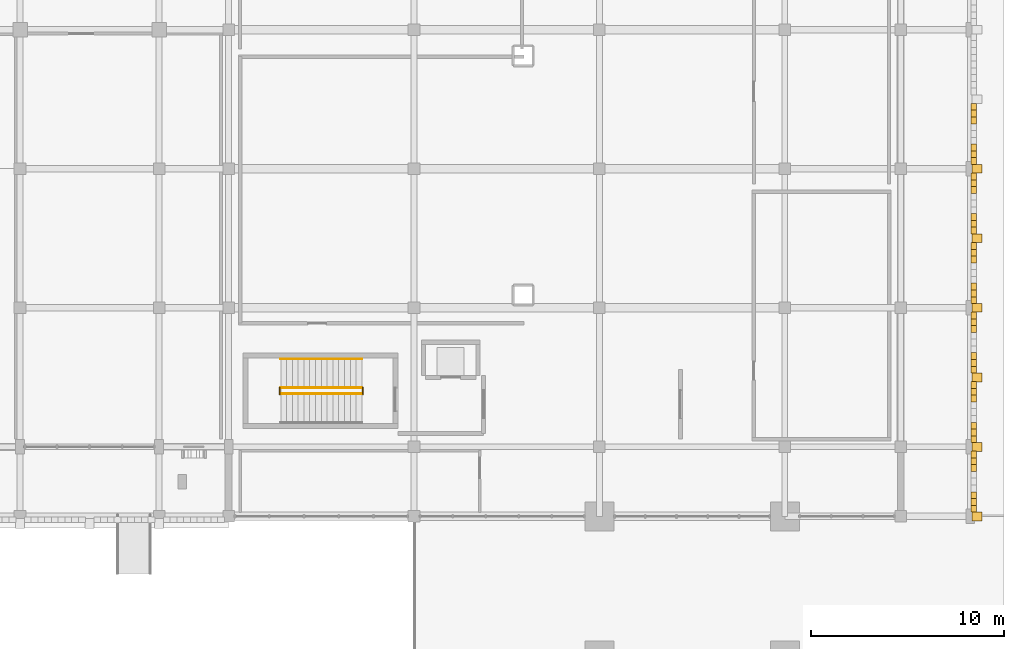
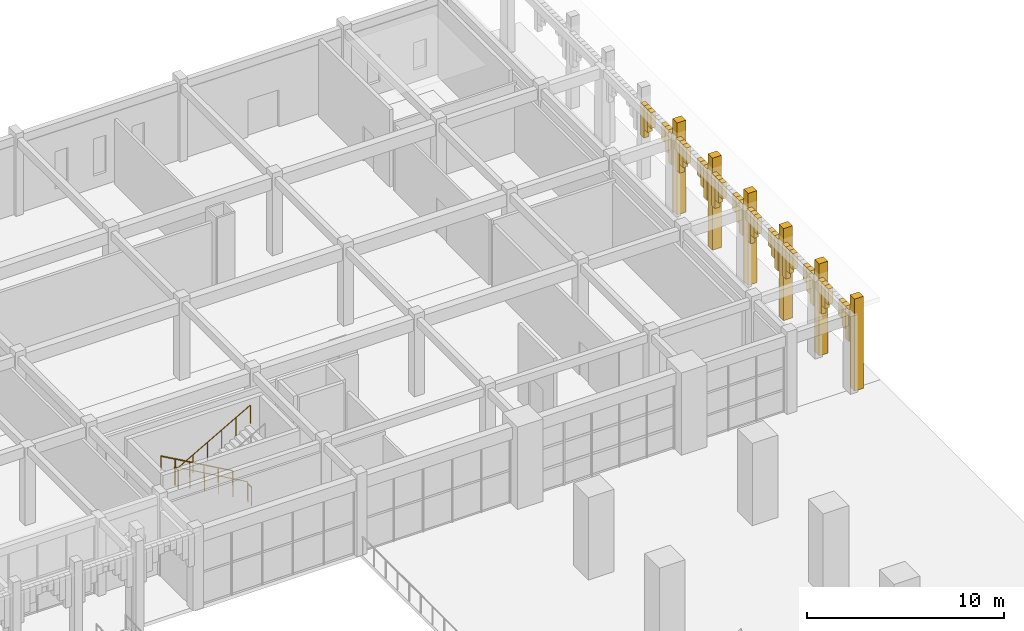
# One storey, part 62 of 72: 42 coverings, 5 railings.
"""IFC4 building model written with IfcOpenShell, lengths in metres."""

from ifc_helpers import new_model, si_unit, direction, frame, origin, origin_2d, place, context, subcontext, project, spatial, rectangle, circle, extrude, material, layer, layer_set, type_object, element, save


model = new_model("IFC4")

# Units and contexts
model_context = context("Model", 3, precision=1e-05, world=origin(), true_north=direction((0.0, 1.0)))
body_context = subcontext(model_context, "Body", "Model", "MODEL_VIEW")
ifc_project = project(units=[si_unit("LENGTHUNIT", "METRE"), si_unit("AREAUNIT", "SQUARE_METRE"), si_unit("VOLUMEUNIT", "CUBIC_METRE"), si_unit("PLANEANGLEUNIT", "RADIAN"), si_unit("MASSUNIT", "GRAM", prefix="KILO")], contexts=[model_context])

# Site, building, storey
site_placement = place(None, origin())
site = spatial("IfcSite", under=ifc_project, at=site_placement, CompositionType="ELEMENT")
building_placement = place(site_placement, origin())
building = spatial("IfcBuilding", under=site, at=building_placement, Name="Nzembalo Square Collegiate School", CompositionType="ELEMENT")
storey_placement = place(building_placement, origin())
storey = spatial("IfcBuildingStorey", under=building, at=storey_placement, Name="L00", CompositionType="ELEMENT", Elevation=0.0)

# Coverings
ifc_material_1 = material(Name="Precast concrete C40/50 arch voussoir", Category="concrete")
ifc_layer = layer(ifc_material_1, 0.1201171875, Name="Precast concrete C40/50 arch voussoir")
ifc_layer_set = layer_set([ifc_layer], Name="Precast concrete C40/50 arch voussoir")
covering_type = type_object("IfcCoveringType", Name="AR01", PredefinedType="CLADDING", material=ifc_layer_set)
covering_1_placement = place(storey_placement, frame((169.3798828125, 79.595703125, 2.808349609375), z_axis=(0.0, 0.0, 1.0), x_axis=(1.0, 0.0, 0.0)))
element("IfcCovering", 1, at=covering_1_placement, inside=storey, type_object=covering_type, Name="Gothic pointed arch voussoir AR01-088-0", PredefinedType="CLADDING", context=body_context, shape_type="SweptSolid", body=[
    extrude(rectangle(XDim=0.280029296875, YDim=0.35107421875, at=origin_2d()), origin(), (0.0, 0.0, 1.0), 1.99169921875),
])
covering_2_placement = place(storey_placement, frame((169.3798828125, 79.94677734375, 3.361083984375), z_axis=(0.0, 0.0, 1.0), x_axis=(1.0, 0.0, 0.0)))
element("IfcCovering", 2, at=covering_2_placement, inside=storey, type_object=covering_type, Name="Gothic pointed arch voussoir AR01-088-1", PredefinedType="CLADDING", context=body_context, shape_type="SweptSolid", body=[
    extrude(rectangle(XDim=0.280029296875, YDim=0.35107421875, at=origin_2d()), origin(), (0.0, 0.0, 1.0), 1.43896484375),
])
for number, where, z_axis, x_axis, name in (
    (3, (169.3798828125, 80.297607421875, 3.810546875), (0.0, 0.0, 1.0), (1.0, 0.0, 0.0), "Gothic pointed arch voussoir AR01-088-2"),
    (4, (169.3798828125, 81.7021484375, 3.810546875), (0.0, 0.0, 1.0), (1.0, 0.0, 0.0), "Gothic pointed arch voussoir AR01-088-6"),
):
    element("IfcCovering", number, at=place(storey_placement, frame(where, z_axis=z_axis, x_axis=x_axis)), inside=storey, type_object=covering_type, Name=name, PredefinedType="CLADDING", context=body_context, shape_type="SweptSolid", body=[
        extrude(rectangle(XDim=0.280029296875, YDim=0.35107421875, at=origin_2d()), origin(), (0.0, 0.0, 1.0), 0.989501953125),
    ])
covering_3_placement = place(storey_placement, frame((169.3798828125, 82.05322265625, 3.361328125), z_axis=(0.0, 0.0, 1.0), x_axis=(1.0, 0.0, 0.0)))
element("IfcCovering", 5, at=covering_3_placement, inside=storey, type_object=covering_type, Name="Gothic pointed arch voussoir AR01-088-7", PredefinedType="CLADDING", context=body_context, shape_type="SweptSolid", body=[
    extrude(rectangle(XDim=0.280029296875, YDim=0.35107421875, at=origin_2d()), origin(), (0.0, 0.0, 1.0), 1.438720703125),
])
covering_4_placement = place(storey_placement, frame((169.3798828125, 82.404296875, 2.80859375), z_axis=(0.0, 0.0, 1.0), x_axis=(1.0, 0.0, 0.0)))
element("IfcCovering", 6, at=covering_4_placement, inside=storey, type_object=covering_type, Name="Gothic pointed arch voussoir AR01-088-8", PredefinedType="CLADDING", context=body_context, shape_type="SweptSolid", body=[
    extrude(rectangle(XDim=0.280029296875, YDim=0.35107421875, at=origin_2d()), origin(), (0.0, 0.0, 1.0), 1.991455078125),
])
covering_5_placement = place(storey_placement, frame((169.56005859375, 79.199951171875, 0.0), z_axis=(0.0, 0.0, 1.0), x_axis=(1.0, 0.0, 0.0)))
element("IfcCovering", 7, at=covering_5_placement, inside=storey, type_object=covering_type, Name="Gothic arcade buttress pinnacle AR01-B088", PredefinedType="CLADDING", context=body_context, shape_type="SweptSolid", body=[
    extrude(rectangle(XDim=0.52001953125, YDim=0.4599609375, at=origin_2d()), origin(), (0.0, 0.0, 1.0), 5.699951171875),
])
covering_6_placement = place(storey_placement, frame((169.3798828125, 83.195556640625, 2.808349609375), z_axis=(0.0, 0.0, 1.0), x_axis=(1.0, 0.0, 0.0)))
element("IfcCovering", 8, at=covering_6_placement, inside=storey, type_object=covering_type, Name="Gothic pointed arch voussoir AR01-089-0", PredefinedType="CLADDING", context=body_context, shape_type="SweptSolid", body=[
    extrude(rectangle(XDim=0.280029296875, YDim=0.35107421875, at=origin_2d()), origin(), (0.0, 0.0, 1.0), 1.99169921875),
])
covering_7_placement = place(storey_placement, frame((169.3798828125, 83.546630859375, 3.361083984375), z_axis=(0.0, 0.0, 1.0), x_axis=(1.0, 0.0, 0.0)))
element("IfcCovering", 9, at=covering_7_placement, inside=storey, type_object=covering_type, Name="Gothic pointed arch voussoir AR01-089-1", PredefinedType="CLADDING", context=body_context, shape_type="SweptSolid", body=[
    extrude(rectangle(XDim=0.280029296875, YDim=0.35107421875, at=origin_2d()), origin(), (0.0, 0.0, 1.0), 1.43896484375),
])
for number, where, z_axis, x_axis, name in (
    (10, (169.3798828125, 83.897705078125, 3.810546875), (0.0, 0.0, 1.0), (1.0, 0.0, 0.0), "Gothic pointed arch voussoir AR01-089-2"),
    (11, (169.3798828125, 85.302001953125, 3.810546875), (0.0, 0.0, 1.0), (1.0, 0.0, 0.0), "Gothic pointed arch voussoir AR01-089-6"),
):
    element("IfcCovering", number, at=place(storey_placement, frame(where, z_axis=z_axis, x_axis=x_axis)), inside=storey, type_object=covering_type, Name=name, PredefinedType="CLADDING", context=body_context, shape_type="SweptSolid", body=[
        extrude(rectangle(XDim=0.280029296875, YDim=0.35107421875, at=origin_2d()), origin(), (0.0, 0.0, 1.0), 0.989501953125),
    ])
covering_8_placement = place(storey_placement, frame((169.3798828125, 85.6533203125, 3.361328125), z_axis=(0.0, 0.0, 1.0), x_axis=(1.0, 0.0, 0.0)))
element("IfcCovering", 12, at=covering_8_placement, inside=storey, type_object=covering_type, Name="Gothic pointed arch voussoir AR01-089-7", PredefinedType="CLADDING", context=body_context, shape_type="SweptSolid", body=[
    extrude(rectangle(XDim=0.280029296875, YDim=0.35107421875, at=origin_2d()), origin(), (0.0, 0.0, 1.0), 1.438720703125),
])
covering_9_placement = place(storey_placement, frame((169.3798828125, 86.00439453125, 2.80859375), z_axis=(0.0, 0.0, 1.0), x_axis=(1.0, 0.0, 0.0)))
element("IfcCovering", 13, at=covering_9_placement, inside=storey, type_object=covering_type, Name="Gothic pointed arch voussoir AR01-089-8", PredefinedType="CLADDING", context=body_context, shape_type="SweptSolid", body=[
    extrude(rectangle(XDim=0.280029296875, YDim=0.35107421875, at=origin_2d()), origin(), (0.0, 0.0, 1.0), 1.991455078125),
])
covering_10_placement = place(storey_placement, frame((169.56005859375, 82.800048828125, 0.0), z_axis=(0.0, 0.0, 1.0), x_axis=(1.0, 0.0, 0.0)))
element("IfcCovering", 14, at=covering_10_placement, inside=storey, type_object=covering_type, Name="Gothic arcade buttress pinnacle AR01-B089", PredefinedType="CLADDING", context=body_context, shape_type="SweptSolid", body=[
    extrude(rectangle(XDim=0.52001953125, YDim=0.4599609375, at=origin_2d()), origin(), (0.0, 0.0, 1.0), 5.699951171875),
])
covering_11_placement = place(storey_placement, frame((169.3798828125, 86.79541015625, 2.808349609375), z_axis=(0.0, 0.0, 1.0), x_axis=(1.0, 0.0, 0.0)))
element("IfcCovering", 15, at=covering_11_placement, inside=storey, type_object=covering_type, Name="Gothic pointed arch voussoir AR01-090-0", PredefinedType="CLADDING", context=body_context, shape_type="SweptSolid", body=[
    extrude(rectangle(XDim=0.280029296875, YDim=0.35107421875, at=origin_2d()), origin(), (0.0, 0.0, 1.0), 1.99169921875),
])
covering_12_placement = place(storey_placement, frame((169.3798828125, 87.146484375, 3.361083984375), z_axis=(0.0, 0.0, 1.0), x_axis=(1.0, 0.0, 0.0)))
element("IfcCovering", 16, at=covering_12_placement, inside=storey, type_object=covering_type, Name="Gothic pointed arch voussoir AR01-090-1", PredefinedType="CLADDING", context=body_context, shape_type="SweptSolid", body=[
    extrude(rectangle(XDim=0.280029296875, YDim=0.35107421875, at=origin_2d()), origin(), (0.0, 0.0, 1.0), 1.43896484375),
])
for number, where, z_axis, x_axis, name in (
    (17, (169.3798828125, 87.497802734375, 3.810546875), (0.0, 0.0, 1.0), (1.0, 0.0, 0.0), "Gothic pointed arch voussoir AR01-090-2"),
    (18, (169.3798828125, 88.902099609375, 3.810546875), (0.0, 0.0, 1.0), (1.0, 0.0, 0.0), "Gothic pointed arch voussoir AR01-090-6"),
):
    element("IfcCovering", number, at=place(storey_placement, frame(where, z_axis=z_axis, x_axis=x_axis)), inside=storey, type_object=covering_type, Name=name, PredefinedType="CLADDING", context=body_context, shape_type="SweptSolid", body=[
        extrude(rectangle(XDim=0.280029296875, YDim=0.35107421875, at=origin_2d()), origin(), (0.0, 0.0, 1.0), 0.989501953125),
    ])
covering_13_placement = place(storey_placement, frame((169.3798828125, 89.253173828125, 3.361328125), z_axis=(0.0, 0.0, 1.0), x_axis=(1.0, 0.0, 0.0)))
element("IfcCovering", 19, at=covering_13_placement, inside=storey, type_object=covering_type, Name="Gothic pointed arch voussoir AR01-090-7", PredefinedType="CLADDING", context=body_context, shape_type="SweptSolid", body=[
    extrude(rectangle(XDim=0.280029296875, YDim=0.35107421875, at=origin_2d()), origin(), (0.0, 0.0, 1.0), 1.438720703125),
])
covering_14_placement = place(storey_placement, frame((169.3798828125, 89.604248046875, 2.80859375), z_axis=(0.0, 0.0, 1.0), x_axis=(1.0, 0.0, 0.0)))
element("IfcCovering", 20, at=covering_14_placement, inside=storey, type_object=covering_type, Name="Gothic pointed arch voussoir AR01-090-8", PredefinedType="CLADDING", context=body_context, shape_type="SweptSolid", body=[
    extrude(rectangle(XDim=0.280029296875, YDim=0.35107421875, at=origin_2d()), origin(), (0.0, 0.0, 1.0), 1.991455078125),
])
covering_15_placement = place(storey_placement, frame((169.56005859375, 86.39990234375, 0.0), z_axis=(0.0, 0.0, 1.0), x_axis=(1.0, 0.0, 0.0)))
element("IfcCovering", 21, at=covering_15_placement, inside=storey, type_object=covering_type, Name="Gothic arcade buttress pinnacle AR01-B090", PredefinedType="CLADDING", context=body_context, shape_type="SweptSolid", body=[
    extrude(rectangle(XDim=0.52001953125, YDim=0.4599609375, at=origin_2d()), origin(), (0.0, 0.0, 1.0), 5.699951171875),
])
covering_16_placement = place(storey_placement, frame((169.3798828125, 90.3955078125, 2.808349609375), z_axis=(0.0, 0.0, 1.0), x_axis=(1.0, 0.0, 0.0)))
element("IfcCovering", 22, at=covering_16_placement, inside=storey, type_object=covering_type, Name="Gothic pointed arch voussoir AR01-091-0", PredefinedType="CLADDING", context=body_context, shape_type="SweptSolid", body=[
    extrude(rectangle(XDim=0.280029296875, YDim=0.35107421875, at=origin_2d()), origin(), (0.0, 0.0, 1.0), 1.99169921875),
])
covering_17_placement = place(storey_placement, frame((169.3798828125, 90.74658203125, 3.361083984375), z_axis=(0.0, 0.0, 1.0), x_axis=(1.0, 0.0, 0.0)))
element("IfcCovering", 23, at=covering_17_placement, inside=storey, type_object=covering_type, Name="Gothic pointed arch voussoir AR01-091-1", PredefinedType="CLADDING", context=body_context, shape_type="SweptSolid", body=[
    extrude(rectangle(XDim=0.280029296875, YDim=0.35107421875, at=origin_2d()), origin(), (0.0, 0.0, 1.0), 1.43896484375),
])
for number, where, z_axis, x_axis, name in (
    (24, (169.3798828125, 91.09765625, 3.810546875), (0.0, 0.0, 1.0), (1.0, 0.0, 0.0), "Gothic pointed arch voussoir AR01-091-2"),
    (25, (169.3798828125, 92.502197265625, 3.810546875), (0.0, 0.0, 1.0), (1.0, 0.0, 0.0), "Gothic pointed arch voussoir AR01-091-6"),
):
    element("IfcCovering", number, at=place(storey_placement, frame(where, z_axis=z_axis, x_axis=x_axis)), inside=storey, type_object=covering_type, Name=name, PredefinedType="CLADDING", context=body_context, shape_type="SweptSolid", body=[
        extrude(rectangle(XDim=0.280029296875, YDim=0.35107421875, at=origin_2d()), origin(), (0.0, 0.0, 1.0), 0.989501953125),
    ])
covering_18_placement = place(storey_placement, frame((169.3798828125, 92.853271484375, 3.361328125), z_axis=(0.0, 0.0, 1.0), x_axis=(1.0, 0.0, 0.0)))
element("IfcCovering", 26, at=covering_18_placement, inside=storey, type_object=covering_type, Name="Gothic pointed arch voussoir AR01-091-7", PredefinedType="CLADDING", context=body_context, shape_type="SweptSolid", body=[
    extrude(rectangle(XDim=0.280029296875, YDim=0.35107421875, at=origin_2d()), origin(), (0.0, 0.0, 1.0), 1.438720703125),
])
covering_19_placement = place(storey_placement, frame((169.3798828125, 93.204345703125, 2.80859375), z_axis=(0.0, 0.0, 1.0), x_axis=(1.0, 0.0, 0.0)))
element("IfcCovering", 27, at=covering_19_placement, inside=storey, type_object=covering_type, Name="Gothic pointed arch voussoir AR01-091-8", PredefinedType="CLADDING", context=body_context, shape_type="SweptSolid", body=[
    extrude(rectangle(XDim=0.280029296875, YDim=0.35107421875, at=origin_2d()), origin(), (0.0, 0.0, 1.0), 1.991455078125),
])
covering_20_placement = place(storey_placement, frame((169.56005859375, 90.0, 0.0), z_axis=(0.0, 0.0, 1.0), x_axis=(1.0, 0.0, 0.0)))
element("IfcCovering", 28, at=covering_20_placement, inside=storey, type_object=covering_type, Name="Gothic arcade buttress pinnacle AR01-B091", PredefinedType="CLADDING", context=body_context, shape_type="SweptSolid", body=[
    extrude(rectangle(XDim=0.52001953125, YDim=0.4599609375, at=origin_2d()), origin(), (0.0, 0.0, 1.0), 5.699951171875),
])
covering_21_placement = place(storey_placement, frame((169.3798828125, 93.99560546875, 2.808349609375), z_axis=(0.0, 0.0, 1.0), x_axis=(1.0, 0.0, 0.0)))
element("IfcCovering", 29, at=covering_21_placement, inside=storey, type_object=covering_type, Name="Gothic pointed arch voussoir AR01-092-0", PredefinedType="CLADDING", context=body_context, shape_type="SweptSolid", body=[
    extrude(rectangle(XDim=0.280029296875, YDim=0.35107421875, at=origin_2d()), origin(), (0.0, 0.0, 1.0), 1.99169921875),
])
covering_22_placement = place(storey_placement, frame((169.3798828125, 94.3466796875, 3.361083984375), z_axis=(0.0, 0.0, 1.0), x_axis=(1.0, 0.0, 0.0)))
element("IfcCovering", 30, at=covering_22_placement, inside=storey, type_object=covering_type, Name="Gothic pointed arch voussoir AR01-092-1", PredefinedType="CLADDING", context=body_context, shape_type="SweptSolid", body=[
    extrude(rectangle(XDim=0.280029296875, YDim=0.35107421875, at=origin_2d()), origin(), (0.0, 0.0, 1.0), 1.43896484375),
])
for number, where, z_axis, x_axis, name in (
    (31, (169.3798828125, 94.69775390625, 3.810546875), (0.0, 0.0, 1.0), (1.0, 0.0, 0.0), "Gothic pointed arch voussoir AR01-092-2"),
    (32, (169.3798828125, 96.10205078125, 3.810546875), (0.0, 0.0, 1.0), (1.0, 0.0, 0.0), "Gothic pointed arch voussoir AR01-092-6"),
):
    element("IfcCovering", number, at=place(storey_placement, frame(where, z_axis=z_axis, x_axis=x_axis)), inside=storey, type_object=covering_type, Name=name, PredefinedType="CLADDING", context=body_context, shape_type="SweptSolid", body=[
        extrude(rectangle(XDim=0.280029296875, YDim=0.35107421875, at=origin_2d()), origin(), (0.0, 0.0, 1.0), 0.989501953125),
    ])
covering_23_placement = place(storey_placement, frame((169.3798828125, 96.453125, 3.361328125), z_axis=(0.0, 0.0, 1.0), x_axis=(1.0, 0.0, 0.0)))
element("IfcCovering", 33, at=covering_23_placement, inside=storey, type_object=covering_type, Name="Gothic pointed arch voussoir AR01-092-7", PredefinedType="CLADDING", context=body_context, shape_type="SweptSolid", body=[
    extrude(rectangle(XDim=0.280029296875, YDim=0.35107421875, at=origin_2d()), origin(), (0.0, 0.0, 1.0), 1.438720703125),
])
covering_24_placement = place(storey_placement, frame((169.3798828125, 96.80419921875, 2.80859375), z_axis=(0.0, 0.0, 1.0), x_axis=(1.0, 0.0, 0.0)))
element("IfcCovering", 34, at=covering_24_placement, inside=storey, type_object=covering_type, Name="Gothic pointed arch voussoir AR01-092-8", PredefinedType="CLADDING", context=body_context, shape_type="SweptSolid", body=[
    extrude(rectangle(XDim=0.280029296875, YDim=0.35107421875, at=origin_2d()), origin(), (0.0, 0.0, 1.0), 1.991455078125),
])
covering_25_placement = place(storey_placement, frame((169.56005859375, 93.60009765625, 0.0), z_axis=(0.0, 0.0, 1.0), x_axis=(1.0, 0.0, 0.0)))
element("IfcCovering", 35, at=covering_25_placement, inside=storey, type_object=covering_type, Name="Gothic arcade buttress pinnacle AR01-B092", PredefinedType="CLADDING", context=body_context, shape_type="SweptSolid", body=[
    extrude(rectangle(XDim=0.52001953125, YDim=0.4599609375, at=origin_2d()), origin(), (0.0, 0.0, 1.0), 5.699951171875),
])
covering_26_placement = place(storey_placement, frame((169.3798828125, 97.595458984375, 2.808349609375), z_axis=(0.0, 0.0, 1.0), x_axis=(1.0, 0.0, 0.0)))
element("IfcCovering", 36, at=covering_26_placement, inside=storey, type_object=covering_type, Name="Gothic pointed arch voussoir AR01-093-0", PredefinedType="CLADDING", context=body_context, shape_type="SweptSolid", body=[
    extrude(rectangle(XDim=0.280029296875, YDim=0.35107421875, at=origin_2d()), origin(), (0.0, 0.0, 1.0), 1.99169921875),
])
covering_27_placement = place(storey_placement, frame((169.3798828125, 97.946533203125, 3.361083984375), z_axis=(0.0, 0.0, 1.0), x_axis=(1.0, 0.0, 0.0)))
element("IfcCovering", 37, at=covering_27_placement, inside=storey, type_object=covering_type, Name="Gothic pointed arch voussoir AR01-093-1", PredefinedType="CLADDING", context=body_context, shape_type="SweptSolid", body=[
    extrude(rectangle(XDim=0.280029296875, YDim=0.35107421875, at=origin_2d()), origin(), (0.0, 0.0, 1.0), 1.43896484375),
])
for number, where, z_axis, x_axis, name in (
    (38, (169.3798828125, 98.297607421875, 3.810546875), (0.0, 0.0, 1.0), (1.0, 0.0, 0.0), "Gothic pointed arch voussoir AR01-093-2"),
    (39, (169.3798828125, 99.7021484375, 3.810546875), (0.0, 0.0, 1.0), (1.0, 0.0, 0.0), "Gothic pointed arch voussoir AR01-093-6"),
):
    element("IfcCovering", number, at=place(storey_placement, frame(where, z_axis=z_axis, x_axis=x_axis)), inside=storey, type_object=covering_type, Name=name, PredefinedType="CLADDING", context=body_context, shape_type="SweptSolid", body=[
        extrude(rectangle(XDim=0.280029296875, YDim=0.35107421875, at=origin_2d()), origin(), (0.0, 0.0, 1.0), 0.989501953125),
    ])
covering_28_placement = place(storey_placement, frame((169.3798828125, 100.05322265625, 3.361328125), z_axis=(0.0, 0.0, 1.0), x_axis=(1.0, 0.0, 0.0)))
element("IfcCovering", 40, at=covering_28_placement, inside=storey, type_object=covering_type, Name="Gothic pointed arch voussoir AR01-093-7", PredefinedType="CLADDING", context=body_context, shape_type="SweptSolid", body=[
    extrude(rectangle(XDim=0.280029296875, YDim=0.35107421875, at=origin_2d()), origin(), (0.0, 0.0, 1.0), 1.438720703125),
])
covering_29_placement = place(storey_placement, frame((169.3798828125, 100.404296875, 2.80859375), z_axis=(0.0, 0.0, 1.0), x_axis=(1.0, 0.0, 0.0)))
element("IfcCovering", 41, at=covering_29_placement, inside=storey, type_object=covering_type, Name="Gothic pointed arch voussoir AR01-093-8", PredefinedType="CLADDING", context=body_context, shape_type="SweptSolid", body=[
    extrude(rectangle(XDim=0.280029296875, YDim=0.35107421875, at=origin_2d()), origin(), (0.0, 0.0, 1.0), 1.991455078125),
])
covering_30_placement = place(storey_placement, frame((169.56005859375, 97.199951171875, 0.0), z_axis=(0.0, 0.0, 1.0), x_axis=(1.0, 0.0, 0.0)))
element("IfcCovering", 42, at=covering_30_placement, inside=storey, type_object=covering_type, Name="Gothic arcade buttress pinnacle AR01-B093", PredefinedType="CLADDING", context=body_context, shape_type="SweptSolid", body=[
    extrude(rectangle(XDim=0.52001953125, YDim=0.4599609375, at=origin_2d()), origin(), (0.0, 0.0, 1.0), 5.699951171875),
])

# Railings
ifc_material_2 = material(Name="Steel S355", Category="steel")
railing_type_1 = type_object("IfcRailingType", Name="GR01", PredefinedType="GUARDRAIL", material=ifc_material_2)
railing_1_placement = place(storey_placement, frame((137.699951171875, 85.85009765625, 0.159912109375)))
element("IfcRailing", 43, at=railing_1_placement, inside=storey, type_object=railing_type_1, Name="Stair guard GR-13-1", PredefinedType="GUARDRAIL", context=body_context, shape_type="SweptSolid", body=[
    extrude(circle(Radius=0.02392578125, at=origin_2d()), frame((0.0, 0.0, 1.1259765625), z_axis=(-0.870008446991, 0.0, 0.493036816236), x_axis=(0.0, -1.0, 0.0)), (0.0, 0.0, 1.0), 4.827392578125),
    extrude(circle(Radius=0.02099609375, at=origin_2d()), origin(), (0.0, 0.0, 1.0), 1.101806640625),
    extrude(circle(Radius=0.02099609375, at=origin_2d()), frame((-0.840087890625, 0.0, 0.47607421875)), (0.0, 0.0, 1.0), 1.101806640625),
    extrude(circle(Radius=0.02099609375, at=origin_2d()), frame((-1.679931640625, 0.0, 0.9521484375)), (0.0, 0.0, 1.0), 1.101806640625),
    extrude(circle(Radius=0.02099609375, at=origin_2d()), frame((-2.52001953125, 0.0, 1.427978515625)), (0.0, 0.0, 1.0), 1.101806640625),
    extrude(circle(Radius=0.02099609375, at=origin_2d()), frame((-3.35986328125, 0.0, 1.904052734375)), (0.0, 0.0, 1.0), 1.101806640625),
    extrude(circle(Radius=0.02099609375, at=origin_2d()), frame((-4.199951171875, 0.0, 2.380126953125)), (0.0, 0.0, 1.0), 1.101806640625),
])
railing_2_placement = place(storey_placement, frame((133.449951171875, 85.52001953125, 2.544921875)))
element("IfcRailing", 44, at=railing_2_placement, inside=storey, type_object=railing_type_1, Name="Stair guard GR-13-2", PredefinedType="GUARDRAIL", context=body_context, shape_type="SweptSolid", body=[
    extrude(circle(Radius=0.02392578125, at=origin_2d()), frame((0.0, 0.0, 1.1259765625), z_axis=(0.0, 1.0, 0.0), x_axis=(-1.0, 0.0, 0.0)), (0.0, 0.0, 1.0), 0.35986328125),
    extrude(circle(Radius=0.02099609375, at=origin_2d()), origin(), (0.0, 0.0, 1.0), 1.101806640625),
    extrude(circle(Radius=0.02099609375, at=origin_2d()), frame((0.0, 0.35986328125, 0.0)), (0.0, 0.0, 1.0), 1.101806640625),
])
railing_3_placement = place(storey_placement, frame((133.5, 85.550048828125, 2.7099609375)))
element("IfcRailing", 45, at=railing_3_placement, inside=storey, type_object=railing_type_1, Name="Stair guard GR-13-3", PredefinedType="GUARDRAIL", context=body_context, shape_type="SweptSolid", body=[
    extrude(circle(Radius=0.02392578125, at=origin_2d()), frame((0.0, 0.0, 1.1259765625), z_axis=(0.870008446991, 0.0, 0.493036816236), x_axis=(0.0, 1.0, 0.0)), (0.0, 0.0, 1.0), 4.827392578125),
    extrude(circle(Radius=0.02099609375, at=origin_2d()), origin(), (0.0, 0.0, 1.0), 1.101806640625),
    extrude(circle(Radius=0.02099609375, at=origin_2d()), frame((0.840087890625, 0.0, 0.47607421875)), (0.0, 0.0, 1.0), 1.101806640625),
    extrude(circle(Radius=0.02099609375, at=origin_2d()), frame((1.679931640625, 0.0, 0.9521484375)), (0.0, 0.0, 1.0), 1.101806640625),
    extrude(circle(Radius=0.02099609375, at=origin_2d()), frame((2.52001953125, 0.0, 1.427978515625)), (0.0, 0.0, 1.0), 1.101806640625),
    extrude(circle(Radius=0.02099609375, at=origin_2d()), frame((3.35986328125, 0.0, 1.904052734375)), (0.0, 0.0, 1.0), 1.101806640625),
    extrude(circle(Radius=0.02099609375, at=origin_2d()), frame((4.199951171875, 0.0, 2.380126953125)), (0.0, 0.0, 1.0), 1.101806640625),
])
railing_4_placement = place(storey_placement, frame((137.75, 85.52001953125, -0.0048828125)))
element("IfcRailing", 46, at=railing_4_placement, inside=storey, type_object=railing_type_1, Name="Stair guard GR-13-4", PredefinedType="GUARDRAIL", context=body_context, shape_type="SweptSolid", body=[
    extrude(circle(Radius=0.02392578125, at=origin_2d()), frame((0.0, 0.0, 1.1259765625), z_axis=(0.0, 1.0, 0.0), x_axis=(-1.0, 0.0, 0.0)), (0.0, 0.0, 1.0), 0.35986328125),
    extrude(circle(Radius=0.02099609375, at=origin_2d()), origin(), (0.0, 0.0, 1.0), 1.101806640625),
    extrude(circle(Radius=0.02099609375, at=origin_2d()), frame((0.0, 0.35986328125, 0.0)), (0.0, 0.0, 1.0), 1.101806640625),
])
ifc_material_3 = material(Name="Steel S355", Category="steel")
railing_type_2 = type_object("IfcRailingType", Name="HR01", PredefinedType="HANDRAIL", material=ifc_material_3)
railing_5_placement = place(storey_placement, frame((137.699951171875, 87.35009765625, 0.159912109375)))
element("IfcRailing", 47, at=railing_5_placement, inside=storey, type_object=railing_type_2, Name="Stair handrail HR-13-1", PredefinedType="HANDRAIL", context=body_context, shape_type="SweptSolid", body=[
    extrude(circle(Radius=0.02392578125, at=origin_2d()), frame((0.0, 0.0, 0.89599609375), z_axis=(-0.870008446991, 0.0, 0.493036816236), x_axis=(0.0, -1.0, 0.0)), (0.0, 0.0, 1.0), 4.827392578125),
    extrude(circle(Radius=0.02099609375, at=origin_2d()), origin(), (0.0, 0.0, 1.0), 0.871826171875),
    extrude(circle(Radius=0.02099609375, at=origin_2d()), frame((-0.840087890625, 0.0, 0.47607421875)), (0.0, 0.0, 1.0), 0.871826171875),
    extrude(circle(Radius=0.02099609375, at=origin_2d()), frame((-1.679931640625, 0.0, 0.9521484375)), (0.0, 0.0, 1.0), 0.871826171875),
    extrude(circle(Radius=0.02099609375, at=origin_2d()), frame((-2.52001953125, 0.0, 1.427978515625)), (0.0, 0.0, 1.0), 0.871826171875),
    extrude(circle(Radius=0.02099609375, at=origin_2d()), frame((-3.35986328125, 0.0, 1.904052734375)), (0.0, 0.0, 1.0), 0.871826171875),
    extrude(circle(Radius=0.02099609375, at=origin_2d()), frame((-4.199951171875, 0.0, 2.380126953125)), (0.0, 0.0, 1.0), 0.871826171875),
])

save(model, "model.ifc")
